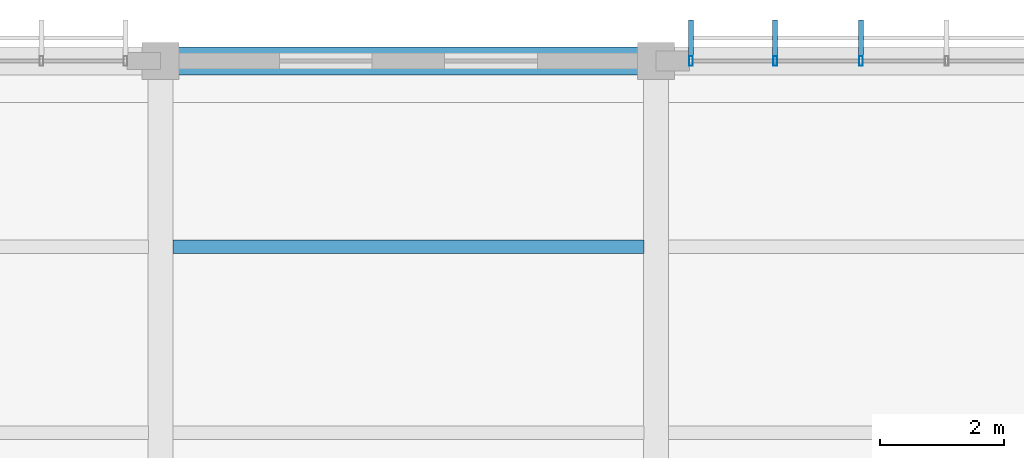
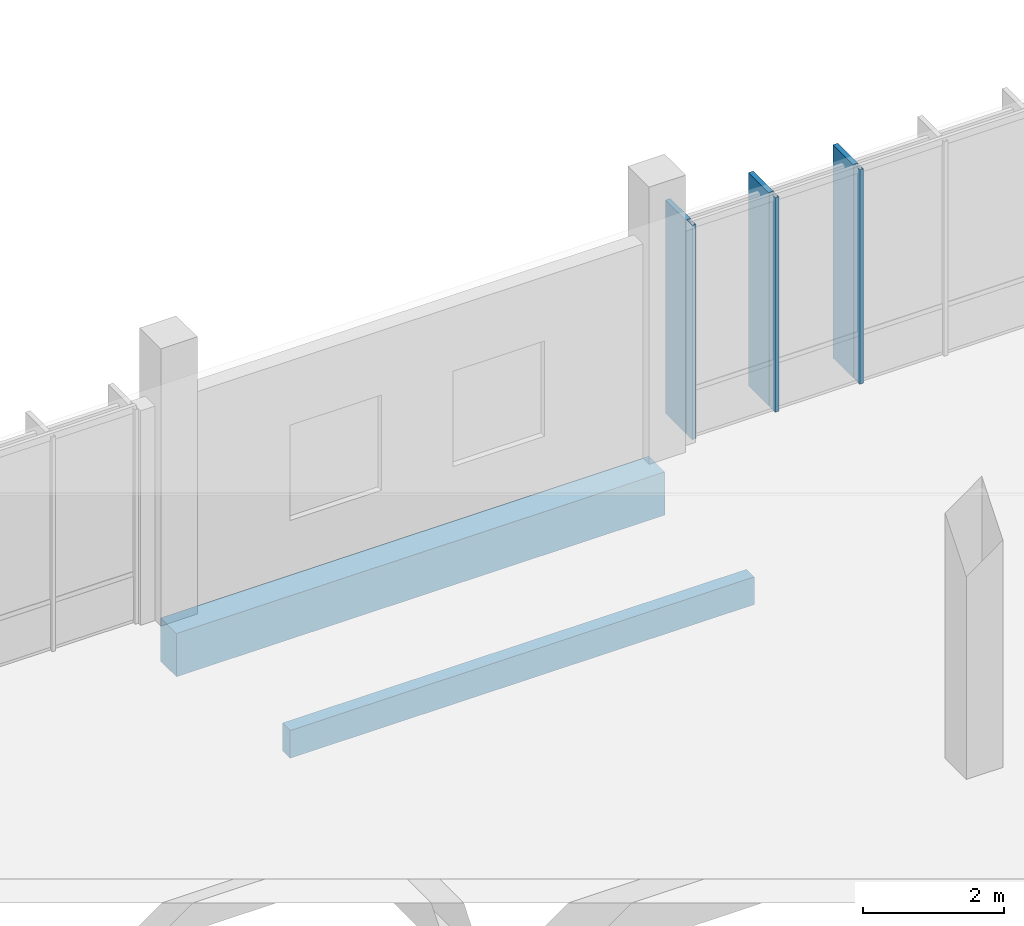
# One storey, part 118 of 177: 6 members, 2 beams, 1 element without a shape of its own.
"""IFC4 building model written with IfcOpenShell, lengths in metres."""

import ifcopenshell
import ifcopenshell.guid

model = None  # the IFC model being written
_history = None  # IfcOwnerHistory: only IFC2X3 demands one
_inside = {}  # id of a spatial element -> (the spatial element, [elements in it])
_under = {}  # id of a project, library or spatial element -> (it, [spatial elements below it])
_declared = {}  # id of a project -> (the project, [libraries it declares])
_typed = {}  # id of a type object -> (the type object, [elements of that type])
_made_of = {}  # id of a material, layer set ... -> (it, [elements and type objects made of it])


def new_model(schema):
    """Start an empty IFC model of exactly this schema.

    Asked for "IFC4X3", IfcOpenShell would pick the latest addendum, in which some entities
    have other attributes; the version numbers below select the first issue.
    IFC2X3 requires an IfcOwnerHistory on every rooted entity: one is made here for all.
    """
    global model, _history
    if schema == "IFC4X3":
        model = ifcopenshell.file(schema_version=(4, 3, 0, 0))
    else:
        model = ifcopenshell.file(schema=schema)
    _inside.clear()
    _under.clear()
    _declared.clear()
    _typed.clear()
    _made_of.clear()
    _history = None
    if model.schema == "IFC2X3":
        org = make("IfcOrganization", Name="unknown")
        user = make(
            "IfcPersonAndOrganization",
            ThePerson=make("IfcPerson", FamilyName="unknown"),
            TheOrganization=org,
        )
        app = make(
            "IfcApplication",
            ApplicationDeveloper=org,
            Version="unknown",
            ApplicationFullName="unknown",
            ApplicationIdentifier="unknown",
        )
        _history = make(
            "IfcOwnerHistory",
            OwningUser=user,
            OwningApplication=app,
            ChangeAction="ADDED",
            CreationDate=0,
        )
    return model


def make(cls, **values):
    """One entity of the class cls with the attributes given. An attribute that is None is left unset."""
    return model.create_entity(
        cls, **{name: value for name, value in values.items() if value is not None}
    )


def rooted(cls, **values):
    """An entity with a GlobalId (a new one), such as an element, a storey or a relation."""
    return make(cls, GlobalId=ifcopenshell.guid.new(), OwnerHistory=_history, **values)


def si_unit(unit_type, name, prefix=None):
    """IfcSIUnit, for example si_unit("LENGTHUNIT", "METRE", prefix="MILLI")."""
    return make("IfcSIUnit", UnitType=unit_type, Prefix=prefix, Name=name)


def assignment(units):
    """IfcUnitAssignment: the units of a project."""
    return None if units is None else make("IfcUnitAssignment", Units=units)


def point(xyz):
    """IfcCartesianPoint."""
    return None if xyz is None else make("IfcCartesianPoint", Coordinates=xyz)


def direction(xyz):
    """IfcDirection."""
    return None if xyz is None else make("IfcDirection", DirectionRatios=xyz)


def frame(location, z_axis=None, x_axis=None):
    """IfcAxis2Placement3D, a coordinate frame: its origin and axes. An axis left out is left unset."""
    return make(
        "IfcAxis2Placement3D",
        Location=point(location),
        Axis=direction(z_axis),
        RefDirection=direction(x_axis),
    )


def frame_2d(location, x_axis=None):
    """IfcAxis2Placement2D, a coordinate frame in the plane: its origin and x axis."""
    return make(
        "IfcAxis2Placement2D", Location=point(location), RefDirection=direction(x_axis)
    )


def origin():
    """The frame at (0, 0, 0) with its axes left unset."""
    return frame((0.0, 0.0, 0.0))


def origin_2d():
    """The frame at (0, 0) in the plane with its x axis left unset."""
    return frame_2d((0.0, 0.0))


def place(relative_to, where):
    """IfcLocalPlacement: puts the frame where relative to a parent placement (None: the world)."""
    return make(
        "IfcLocalPlacement", PlacementRelTo=relative_to, RelativePlacement=where
    )


def context(
    kind, dimensions, precision=None, world=None, true_north=None, identifier=None
):
    """IfcGeometricRepresentationContext, for example the 3D "Model" context."""
    return make(
        "IfcGeometricRepresentationContext",
        ContextIdentifier=identifier,
        ContextType=kind,
        CoordinateSpaceDimension=dimensions,
        Precision=precision,
        WorldCoordinateSystem=world,
        TrueNorth=true_north,
    )


def subcontext(parent, identifier, kind, view, scale=None):
    """IfcGeometricRepresentationSubContext, for example "Body" below "Model"."""
    return make(
        "IfcGeometricRepresentationSubContext",
        ContextIdentifier=identifier,
        ContextType=kind,
        ParentContext=parent,
        TargetScale=scale,
        TargetView=view,
    )


def project(units=None, contexts=None):
    """IfcProject with its units and contexts."""
    return rooted(
        "IfcProject",
        Name="project",
        RepresentationContexts=contexts,
        UnitsInContext=assignment(units),
    )


def spatial(cls, under=None, at=None, **own):
    """A site, building, storey or space (cls), placed at a placement, below another one or the project."""
    s = rooted(cls, ObjectPlacement=at, **own)
    if under is not None:
        _under.setdefault(under.id(), (under, []))[1].append(s)
    return s


def profile(cls, at=None, kind="AREA", **sizes):
    """A parametric profile (cls). Its sizes go by their IFC names, for example OverallWidth=200.0."""
    return make(cls, ProfileType=kind, Position=at, **sizes)


def rectangle(**sizes):
    """IfcRectangleProfileDef."""
    return profile("IfcRectangleProfileDef", **sizes)


def hollow_rectangle(**sizes):
    """IfcRectangleHollowProfileDef."""
    return profile("IfcRectangleHollowProfileDef", **sizes)


def extrude(swept, where, along, depth):
    """IfcExtrudedAreaSolid: the profile swept, set in the frame where, extruded along a direction by depth."""
    return make(
        "IfcExtrudedAreaSolid",
        SweptArea=swept,
        Position=where,
        ExtrudedDirection=direction(along),
        Depth=depth,
    )


def shape(context_of_items, identifier, shape_type, items):
    """IfcShapeRepresentation: the items that make up one representation, for example the "Body"."""
    return make(
        "IfcShapeRepresentation",
        ContextOfItems=context_of_items,
        RepresentationIdentifier=identifier,
        RepresentationType=shape_type,
        Items=items,
    )


def material(Name=None, Category=None):
    """IfcMaterial."""
    return make("IfcMaterial", Name=Name, Category=Category)


def material_profile(
    of_material, cross_section, Name=None, Category=None, Priority=None
):
    """IfcMaterialProfile: a cross section and its material."""
    return make(
        "IfcMaterialProfile",
        Name=Name,
        Material=of_material,
        Profile=cross_section,
        Priority=Priority,
        Category=Category,
    )


def profile_set(profiles, Name=None, composite=None):
    """IfcMaterialProfileSet."""
    return make(
        "IfcMaterialProfileSet",
        Name=Name,
        MaterialProfiles=profiles,
        CompositeProfile=composite,
    )


def made_of(thing, what):
    """Note that an element or type object is made of a material, layer set ...; save() writes the relation."""
    if what is not None:
        _made_of.setdefault(what.id(), (what, []))[1].append(thing)
    return thing


def type_object(cls, material=None, **own):
    """A type object (cls), such as IfcWallType, which elements share."""
    return made_of(rooted(cls, **own), material)


def element(
    cls,
    number,
    at=None,
    inside=None,
    cuts=None,
    type_object=None,
    material=None,
    context=None,
    identifier="Body",
    shape_type=None,
    held_by="IfcProductDefinitionShape",
    body=None,
    shapes=None,
    **own,
):
    """One element of the class cls, such as IfcWall. Its Tag is "e" and its number.

    at: its placement. inside: the storey or other place that contains it. cuts: it is an
    opening in that element (IfcRelVoidsElement). A single representation is given by context,
    identifier, shape_type and body (its items); several are given by shapes. held_by: the class
    of the entity that holds the representations. save() writes the other relations.
    """
    e = rooted(cls, Tag="e%d" % number, ObjectPlacement=at, **own)
    if body is not None:
        shapes = [shape(context, identifier, shape_type, body)]
    if shapes is not None:
        e.Representation = make(held_by, Representations=shapes)
    if inside is not None:
        _inside.setdefault(inside.id(), (inside, []))[1].append(e)
    if cuts is not None:
        rooted(
            "IfcRelVoidsElement", RelatingBuildingElement=cuts, RelatedOpeningElement=e
        )
    if type_object is not None:
        _typed.setdefault(type_object.id(), (type_object, []))[1].append(e)
    return made_of(e, material)


def aggregate(whole, parts):
    """IfcRelAggregates: a whole, such as a stair, and the parts it consists of."""
    return rooted("IfcRelAggregates", RelatingObject=whole, RelatedObjects=parts)


def save(model, path):
    """Write the relations noted so far, then the file.

    IfcRelAggregates (storeys below a building ...), IfcRelContainedInSpatialStructure (elements
    in a storey), IfcRelDefinesByType, IfcRelAssociatesMaterial and IfcRelDeclares: one each for
    every whole, place, type object, material and project.
    """
    for whole, parts in _under.values():
        aggregate(whole, parts)
    for where, things in _inside.values():
        rooted(
            "IfcRelContainedInSpatialStructure",
            RelatedElements=things,
            RelatingStructure=where,
        )
    for kind, things in _typed.values():
        rooted("IfcRelDefinesByType", RelatedObjects=things, RelatingType=kind)
    for what, things in _made_of.values():
        rooted("IfcRelAssociatesMaterial", RelatedObjects=things, RelatingMaterial=what)
    for by, libraries in _declared.values():
        rooted("IfcRelDeclares", RelatingContext=by, RelatedDefinitions=libraries)
    model.write(path)


model = new_model("IFC4")

# Units and contexts
model_context = context("Model", 3, precision=1e-05, world=origin(), true_north=direction((0.0, 1.0)))
body_context = subcontext(model_context, "Body", "Model", "MODEL_VIEW")
ifc_project = project(units=[si_unit("LENGTHUNIT", "METRE"), si_unit("AREAUNIT", "SQUARE_METRE"), si_unit("VOLUMEUNIT", "CUBIC_METRE"), si_unit("PLANEANGLEUNIT", "RADIAN"), si_unit("MASSUNIT", "GRAM", prefix="KILO")], contexts=[model_context])

# Site, building, storey
site_placement = place(None, origin())
site = spatial("IfcSite", under=ifc_project, at=site_placement, CompositionType="ELEMENT")
building_placement = place(site_placement, origin())
building = spatial("IfcBuilding", under=site, at=building_placement, Name="Chiffa Square Polytechnic", CompositionType="ELEMENT")
storey_placement = place(building_placement, frame((0.0, 0.0, 4.800048828125)))
storey = spatial("IfcBuildingStorey", under=building, at=storey_placement, Name="L01", CompositionType="ELEMENT", Elevation=4.800048828125)

# Beam
ifc_material_1 = material(Name="Concrete C35/45", Category="concrete")
ifc_material_profile_1 = material_profile(ifc_material_1, rectangle(XDim=0.449951171875, YDim=0.75, at=origin_2d()), Name="RC 450x750")
ifc_profile_set_1 = profile_set([ifc_material_profile_1], Name="Concrete C35/45")
beam_type_1 = type_object("IfcBeamType", Name="BM-RC-450X750", PredefinedType="BEAM", material=ifc_profile_set_1)
beam_1_placement = place(storey_placement, frame((8.0, 130.800048828125, -0.655029296875), z_axis=(1.0, 0.0, 0.0), x_axis=(0.0, 1.0, 0.0)))
element("IfcBeam", 1, at=beam_1_placement, inside=storey, type_object=beam_type_1, Name="Primary floor girder BM-V5-L01-X-0080-1308", PredefinedType="BEAM", context=body_context, shape_type="SweptSolid", body=[
    extrude(rectangle(XDim=0.449951171875, YDim=0.75, at=origin_2d()), origin(), (0.0, 0.0, 1.0), 8.0),
])

# Curtain wall, members
ifc_material_2 = material(Name="Aluminium EN AW-6060 T66 and glulam shading", Category="wood")
curtain_wall_type = type_object("IfcCurtainWallType", Name="CW-VERT-600X440", PredefinedType="USERDEFINED", material=ifc_material_2)
curtain_wall_placement = place(storey_placement, origin())
curtain_wall = element("IfcCurtainWall", 2, at=curtain_wall_placement, inside=storey, type_object=curtain_wall_type, Name="Curtain wall CW-V5-L01-209", ObjectType="CURTAIN WALL", PredefinedType="USERDEFINED")
ifc_material_3 = material(Name="Aluminium EN AW-6060 T66", Category="aluminium")
ifc_material_profile_2 = material_profile(ifc_material_3, hollow_rectangle(XDim=0.06005859375, YDim=0.159912109375, WallThickness=0.00390625, at=origin_2d()), Name="ALU 60x160x4")
ifc_profile_set_2 = profile_set([ifc_material_profile_2], Name="Aluminium EN AW-6060 T66")
member_type_1 = type_object("IfcMemberType", Name="CWM-ALU-65X150", PredefinedType="MULLION", material=ifc_profile_set_2)
member_1_placement = place(storey_placement, frame((19.30810546875, 130.800048828125, 0.0), z_axis=(0.0, 0.0, 1.0), x_axis=(1.0, 0.0, 0.0)))
member_1 = element("IfcMember", 3, at=member_1_placement, type_object=member_type_1, Name="Curtain wall mullion CW-V5-L01-209-M03", PredefinedType="MULLION", context=body_context, shape_type="SweptSolid", body=[
    extrude(hollow_rectangle(XDim=0.06005859375, YDim=0.159912109375, WallThickness=0.00390625, at=origin_2d()), origin(), (0.0, 0.0, 1.0), 3.71484375),
])
member_2_placement = place(storey_placement, frame((17.924072265625, 130.800048828125, 0.0), z_axis=(0.0, 0.0, 1.0), x_axis=(1.0, 0.0, 0.0)))
member_2 = element("IfcMember", 4, at=member_2_placement, type_object=member_type_1, Name="Curtain wall mullion CW-V5-L01-209-M04", PredefinedType="MULLION", context=body_context, shape_type="SweptSolid", body=[
    extrude(hollow_rectangle(XDim=0.06005859375, YDim=0.159912109375, WallThickness=0.00390625, at=origin_2d()), origin(), (0.0, 0.0, 1.0), 3.71484375),
])
member_3_placement = place(storey_placement, frame((16.56494140625, 130.800048828125, 0.0), z_axis=(0.0, 0.0, 1.0), x_axis=(1.0, 0.0, 0.0)))
member_3 = element("IfcMember", 5, at=member_3_placement, type_object=member_type_1, Name="Curtain wall mullion CW-V5-L01-209-M05", PredefinedType="MULLION", context=body_context, shape_type="SweptSolid", body=[
    extrude(hollow_rectangle(XDim=0.06005859375, YDim=0.159912109375, WallThickness=0.00390625, at=origin_2d()), origin(), (0.0, 0.0, 1.0), 3.71484375),
])
ifc_material_4 = material(Name="Glulam GL28h", Category="wood")
ifc_material_profile_3 = material_profile(ifc_material_4, rectangle(XDim=0.080078125, YDim=0.580078125, at=origin_2d()), Name="GL28h 80x580")
ifc_profile_set_3 = profile_set([ifc_material_profile_3], Name="Glulam GL28h")
member_type_2 = type_object("IfcMemberType", Name="CWM-GL-80X580", PredefinedType="MULLION", material=ifc_profile_set_3)
member_4_placement = place(storey_placement, frame((19.30810546875, 131.172119140625, 0.010009765625), z_axis=(0.0, 0.0, 1.0), x_axis=(-1.0, 0.0, 0.0)))
member_4 = element("IfcMember", 6, at=member_4_placement, type_object=member_type_2, Name="Exterior glulam solar fin CW-V5-L01-209-FN03", PredefinedType="MULLION", context=body_context, shape_type="SweptSolid", body=[
    extrude(rectangle(XDim=0.080078125, YDim=0.580078125, at=origin_2d()), origin(), (0.0, 0.0, 1.0), 3.69482421875),
])
member_5_placement = place(storey_placement, frame((17.924072265625, 131.172119140625, 0.010009765625), z_axis=(0.0, 0.0, 1.0), x_axis=(-1.0, 0.0, 0.0)))
member_5 = element("IfcMember", 7, at=member_5_placement, type_object=member_type_2, Name="Exterior glulam solar fin CW-V5-L01-209-FN04", PredefinedType="MULLION", context=body_context, shape_type="SweptSolid", body=[
    extrude(rectangle(XDim=0.080078125, YDim=0.580078125, at=origin_2d()), origin(), (0.0, 0.0, 1.0), 3.69482421875),
])
member_6_placement = place(storey_placement, frame((16.56494140625, 131.172119140625, 0.010009765625), z_axis=(0.0, 0.0, 1.0), x_axis=(-1.0, 0.0, 0.0)))
member_6 = element("IfcMember", 8, at=member_6_placement, type_object=member_type_2, Name="Exterior glulam solar fin CW-V5-L01-209-FN05", PredefinedType="MULLION", context=body_context, shape_type="SweptSolid", body=[
    extrude(rectangle(XDim=0.080078125, YDim=0.580078125, at=origin_2d()), origin(), (0.0, 0.0, 1.0), 3.69482421875),
])
aggregate(curtain_wall, [member_1, member_4, member_2, member_5, member_3, member_6])

# Beam
ifc_material_profile_4 = material_profile(ifc_material_4, rectangle(XDim=0.219970703125, YDim=0.47998046875, at=origin_2d()), Name="GL28h 220x480")
ifc_profile_set_4 = profile_set([ifc_material_profile_4], Name="Glulam GL28h")
beam_type_2 = type_object("IfcBeamType", Name="JST-GL-220X480", PredefinedType="JOIST", material=ifc_profile_set_4)
beam_2_placement = place(storey_placement, frame((8.197998046875, 127.800048828125, -0.52001953125), z_axis=(1.0, 0.0, 0.0), x_axis=(0.0, 1.0, 0.0)))
element("IfcBeam", 9, at=beam_2_placement, inside=storey, type_object=beam_type_2, Name="Secondary floor joist JST-V5-L01-0080-1278", PredefinedType="JOIST", context=body_context, shape_type="SweptSolid", body=[
    extrude(rectangle(XDim=0.219970703125, YDim=0.47998046875, at=origin_2d()), origin(), (0.0, 0.0, 1.0), 7.60400390625),
])

save(model, "model.ifc")
